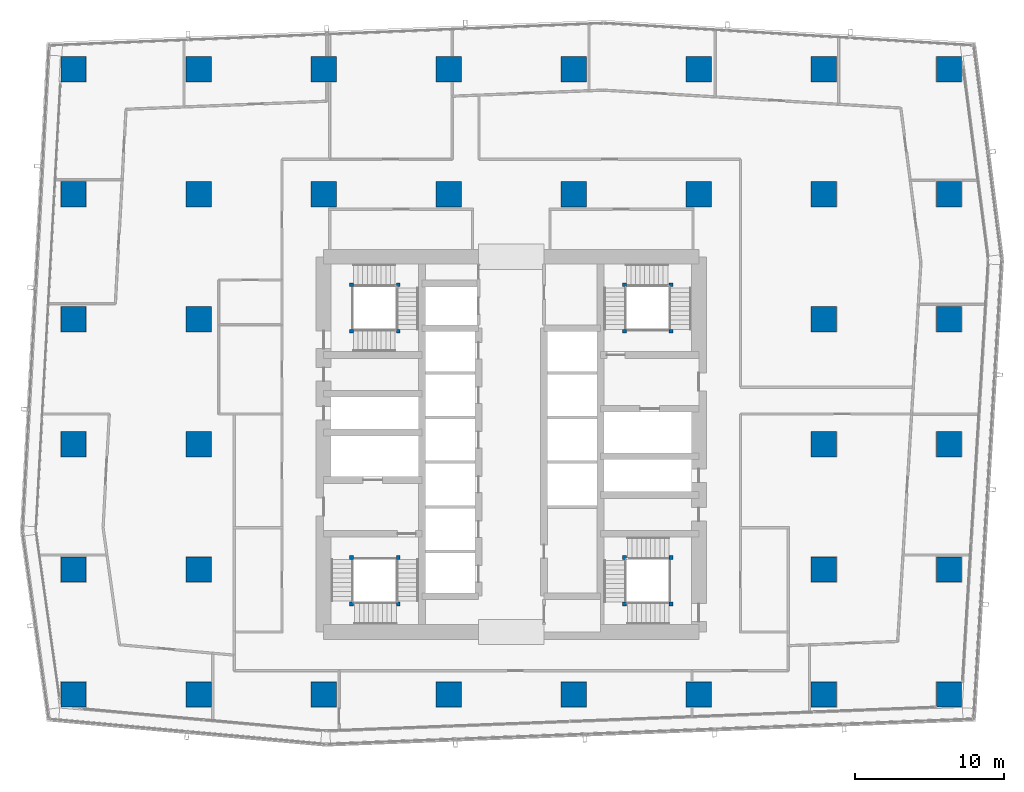
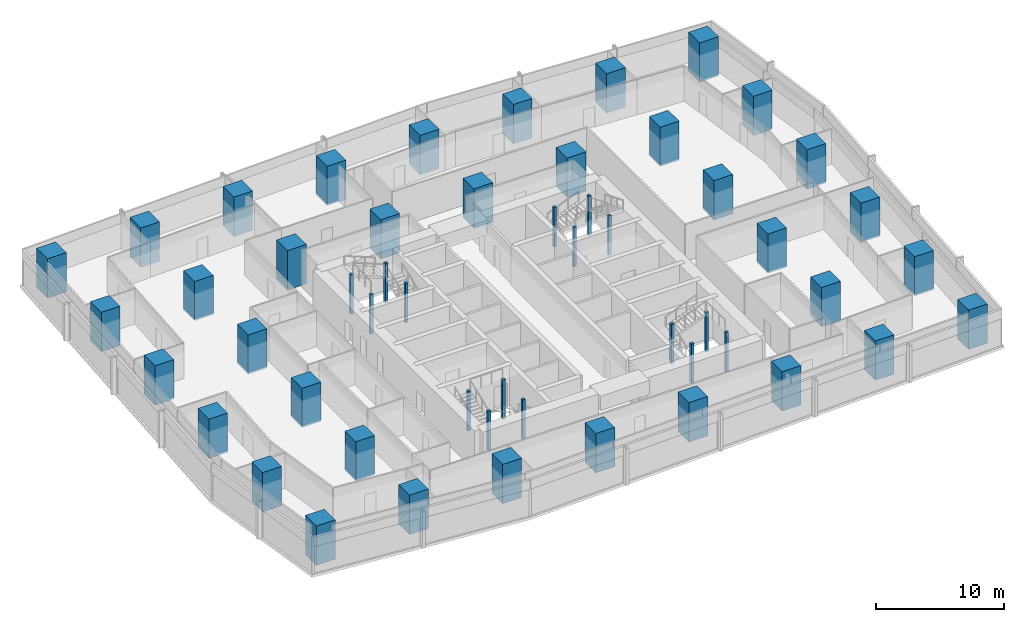
# One storey, part 1 of 40: 52 columns.
"""IFC4 building model written with IfcOpenShell, lengths in metres."""

from ifc_helpers import new_model, si_unit, direction, frame, origin, origin_2d, place, context, subcontext, project, spatial, rectangle, extrude, material, material_profile, profile_set, type_object, element, save


model = new_model("IFC4")

# Units and contexts
model_context = context("Model", 3, precision=1e-05, world=origin(), true_north=direction((0.0, 1.0)))
body_context = subcontext(model_context, "Body", "Model", "MODEL_VIEW")
ifc_project = project(units=[si_unit("LENGTHUNIT", "METRE"), si_unit("AREAUNIT", "SQUARE_METRE"), si_unit("VOLUMEUNIT", "CUBIC_METRE"), si_unit("PLANEANGLEUNIT", "RADIAN"), si_unit("MASSUNIT", "GRAM", prefix="KILO")], contexts=[model_context])

# Site, building, storey
site_placement = place(None, origin())
site = spatial("IfcSite", under=ifc_project, at=site_placement, CompositionType="ELEMENT")
building_placement = place(site_placement, origin())
building = spatial("IfcBuilding", under=site, at=building_placement, Name="Rekha Terrace Tower", CompositionType="ELEMENT")
storey_placement = place(building_placement, frame((0.0, 0.0, 102.800048828125)))
storey = spatial("IfcBuildingStorey", under=building, at=storey_placement, Name="L25", CompositionType="ELEMENT", Elevation=102.800048828125)

# Columns
ifc_material_1 = material(Name="Concrete M70", Category="concrete")
ifc_material_profile_1 = material_profile(ifc_material_1, rectangle(XDim=1.699951171875, YDim=1.699951171875, at=origin_2d()), Name="RC 1700x1700")
ifc_profile_set_1 = profile_set([ifc_material_profile_1], Name="Concrete M70")
column_type_1 = type_object("IfcColumnType", Name="C3 1700x1700 column", PredefinedType="COLUMN", material=ifc_profile_set_1)
for number, where, z_axis, x_axis, name in (
    (1, (8.39990234375, 16.800048828125, 0.0), (0.0, 0.0, 1.0), (1.0, 0.0, 0.0), "Column C3 2/C L25"),
    (2, (8.39990234375, 25.199951171875, 0.0), (0.0, 0.0, 1.0), (1.0, 0.0, 0.0), "Column C3 2/D L25"),
    (3, (8.39990234375, 33.60009765625, 0.0), (0.0, 0.0, 1.0), (1.0, 0.0, 0.0), "Column C3 2/E L25"),
    (4, (8.39990234375, 42.0, 0.0), (0.0, 0.0, 1.0), (1.0, 0.0, 0.0), "Column C3 2/F L25"),
    (5, (8.39990234375, 50.39990234375, 0.0), (0.0, 0.0, 1.0), (1.0, 0.0, 0.0), "Column C3 2/G L25"),
    (6, (8.39990234375, 58.800048828125, 0.0), (0.0, 0.0, 1.0), (1.0, 0.0, 0.0), "Column C3 2/H L25"),
    (7, (16.800048828125, 16.800048828125, 0.0), (0.0, 0.0, 1.0), (1.0, 0.0, 0.0), "Column C3 3/C L25"),
    (8, (16.800048828125, 25.199951171875, 0.0), (0.0, 0.0, 1.0), (1.0, 0.0, 0.0), "Column C3 3/D L25"),
    (9, (16.800048828125, 33.60009765625, 0.0), (0.0, 0.0, 1.0), (1.0, 0.0, 0.0), "Column C3 3/E L25"),
    (10, (16.800048828125, 42.0, 0.0), (0.0, 0.0, 1.0), (1.0, 0.0, 0.0), "Column C3 3/F L25"),
    (11, (16.800048828125, 50.39990234375, 0.0), (0.0, 0.0, 1.0), (1.0, 0.0, 0.0), "Column C3 3/G L25"),
    (12, (16.800048828125, 58.800048828125, 0.0), (0.0, 0.0, 1.0), (1.0, 0.0, 0.0), "Column C3 3/H L25"),
    (13, (25.199951171875, 16.800048828125, 0.0), (0.0, 0.0, 1.0), (1.0, 0.0, 0.0), "Column C3 4/C L25"),
    (14, (25.199951171875, 50.39990234375, 0.0), (0.0, 0.0, 1.0), (1.0, 0.0, 0.0), "Column C3 4/G L25"),
    (15, (25.199951171875, 58.800048828125, 0.0), (0.0, 0.0, 1.0), (1.0, 0.0, 0.0), "Column C3 4/H L25"),
    (16, (33.60009765625, 16.800048828125, 0.0), (0.0, 0.0, 1.0), (1.0, 0.0, 0.0), "Column C3 5/C L25"),
    (17, (33.60009765625, 50.39990234375, 0.0), (0.0, 0.0, 1.0), (1.0, 0.0, 0.0), "Column C3 5/G L25"),
    (18, (33.60009765625, 58.800048828125, 0.0), (0.0, 0.0, 1.0), (1.0, 0.0, 0.0), "Column C3 5/H L25"),
    (19, (42.0, 16.800048828125, 0.0), (0.0, 0.0, 1.0), (1.0, 0.0, 0.0), "Column C3 6/C L25"),
    (20, (42.0, 50.39990234375, 0.0), (0.0, 0.0, 1.0), (1.0, 0.0, 0.0), "Column C3 6/G L25"),
    (21, (42.0, 58.800048828125, 0.0), (0.0, 0.0, 1.0), (1.0, 0.0, 0.0), "Column C3 6/H L25"),
    (22, (50.39990234375, 16.800048828125, 0.0), (0.0, 0.0, 1.0), (1.0, 0.0, 0.0), "Column C3 7/C L25"),
    (23, (50.39990234375, 50.39990234375, 0.0), (0.0, 0.0, 1.0), (1.0, 0.0, 0.0), "Column C3 7/G L25"),
    (24, (50.39990234375, 58.800048828125, 0.0), (0.0, 0.0, 1.0), (1.0, 0.0, 0.0), "Column C3 7/H L25"),
    (25, (58.800048828125, 16.800048828125, 0.0), (0.0, 0.0, 1.0), (1.0, 0.0, 0.0), "Column C3 8/C L25"),
    (26, (58.800048828125, 25.199951171875, 0.0), (0.0, 0.0, 1.0), (1.0, 0.0, 0.0), "Column C3 8/D L25"),
    (27, (58.800048828125, 33.60009765625, 0.0), (0.0, 0.0, 1.0), (1.0, 0.0, 0.0), "Column C3 8/E L25"),
    (28, (58.800048828125, 42.0, 0.0), (0.0, 0.0, 1.0), (1.0, 0.0, 0.0), "Column C3 8/F L25"),
    (29, (58.800048828125, 50.39990234375, 0.0), (0.0, 0.0, 1.0), (1.0, 0.0, 0.0), "Column C3 8/G L25"),
    (30, (58.800048828125, 58.800048828125, 0.0), (0.0, 0.0, 1.0), (1.0, 0.0, 0.0), "Column C3 8/H L25"),
    (31, (67.199951171875, 16.800048828125, 0.0), (0.0, 0.0, 1.0), (1.0, 0.0, 0.0), "Column C3 9/C L25"),
    (32, (67.199951171875, 25.199951171875, 0.0), (0.0, 0.0, 1.0), (1.0, 0.0, 0.0), "Column C3 9/D L25"),
    (33, (67.199951171875, 33.60009765625, 0.0), (0.0, 0.0, 1.0), (1.0, 0.0, 0.0), "Column C3 9/E L25"),
    (34, (67.199951171875, 42.0, 0.0), (0.0, 0.0, 1.0), (1.0, 0.0, 0.0), "Column C3 9/F L25"),
    (35, (67.199951171875, 50.39990234375, 0.0), (0.0, 0.0, 1.0), (1.0, 0.0, 0.0), "Column C3 9/G L25"),
    (36, (67.199951171875, 58.800048828125, 0.0), (0.0, 0.0, 1.0), (1.0, 0.0, 0.0), "Column C3 9/H L25"),
):
    element("IfcColumn", number, at=place(storey_placement, frame(where, z_axis=z_axis, x_axis=x_axis)), inside=storey, type_object=column_type_1, Name=name, PredefinedType="COLUMN", context=body_context, shape_type="SweptSolid", body=[
        extrude(rectangle(XDim=1.699951171875, YDim=1.699951171875, at=origin_2d()), origin(), (0.0, 0.0, 1.0), 3.75),
    ])
ifc_material_2 = material(Name="Concrete M60", Category="concrete")
ifc_material_profile_2 = material_profile(ifc_material_2, rectangle(XDim=0.25, YDim=0.25, at=origin_2d()), Name="RC 250x250")
ifc_profile_set_2 = profile_set([ifc_material_profile_2], Name="Concrete M60")
column_type_2 = type_object("IfcColumnType", Name="NP1 250x250 stair newel post", PredefinedType="COLUMN", material=ifc_profile_set_2)
for number, where, z_axis, x_axis, name in (
    (37, (30.199951171875, 26.0, 0.0), (0.0, 0.0, 1.0), (1.0, 0.0, 0.0), "Stair newel post NP1"),
    (38, (30.199951171875, 22.875, 0.0), (0.0, 0.0, 1.0), (1.0, 0.0, 0.0), "Stair newel post NP1"),
    (39, (27.074951171875, 22.875, 0.0), (0.0, 0.0, 1.0), (1.0, 0.0, 0.0), "Stair newel post NP1"),
    (40, (27.074951171875, 26.0, 0.0), (0.0, 0.0, 1.0), (1.0, 0.0, 0.0), "Stair newel post NP1"),
    (41, (45.39990234375, 41.199951171875, 0.0), (0.0, 0.0, 1.0), (1.0, 0.0, 0.0), "Stair newel post NP1"),
    (42, (45.39990234375, 44.324951171875, 0.0), (0.0, 0.0, 1.0), (1.0, 0.0, 0.0), "Stair newel post NP1"),
    (43, (48.52490234375, 44.324951171875, 0.0), (0.0, 0.0, 1.0), (1.0, 0.0, 0.0), "Stair newel post NP1"),
    (44, (48.52490234375, 41.199951171875, 0.0), (0.0, 0.0, 1.0), (1.0, 0.0, 0.0), "Stair newel post NP1"),
    (45, (48.52490234375, 22.875, 0.0), (0.0, 0.0, 1.0), (1.0, 0.0, 0.0), "Stair newel post NP1"),
    (46, (45.39990234375, 22.875, 0.0), (0.0, 0.0, 1.0), (1.0, 0.0, 0.0), "Stair newel post NP1"),
    (47, (45.39990234375, 26.0, 0.0), (0.0, 0.0, 1.0), (1.0, 0.0, 0.0), "Stair newel post NP1"),
    (48, (48.52490234375, 26.0, 0.0), (0.0, 0.0, 1.0), (1.0, 0.0, 0.0), "Stair newel post NP1"),
    (49, (27.074951171875, 41.199951171875, 0.0), (0.0, 0.0, 1.0), (1.0, 0.0, 0.0), "Stair newel post NP1"),
    (50, (30.199951171875, 41.199951171875, 0.0), (0.0, 0.0, 1.0), (1.0, 0.0, 0.0), "Stair newel post NP1"),
    (51, (30.199951171875, 44.324951171875, 0.0), (0.0, 0.0, 1.0), (1.0, 0.0, 0.0), "Stair newel post NP1"),
    (52, (27.074951171875, 44.324951171875, 0.0), (0.0, 0.0, 1.0), (1.0, 0.0, 0.0), "Stair newel post NP1"),
):
    element("IfcColumn", number, at=place(storey_placement, frame(where, z_axis=z_axis, x_axis=x_axis)), inside=storey, type_object=column_type_2, Name=name, PredefinedType="COLUMN", context=body_context, shape_type="SweptSolid", body=[
        extrude(rectangle(XDim=0.25, YDim=0.25, at=origin_2d()), origin(), (0.0, 0.0, 1.0), 3.75),
    ])

save(model, "model.ifc")
